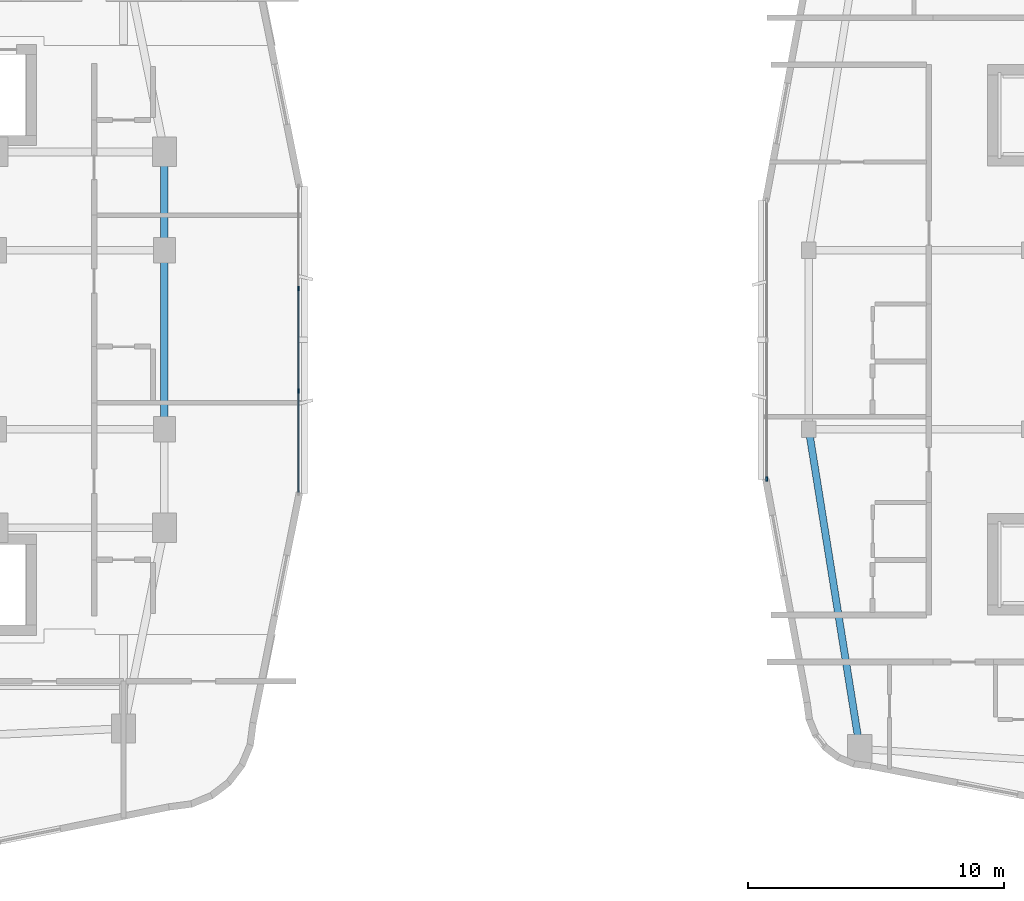
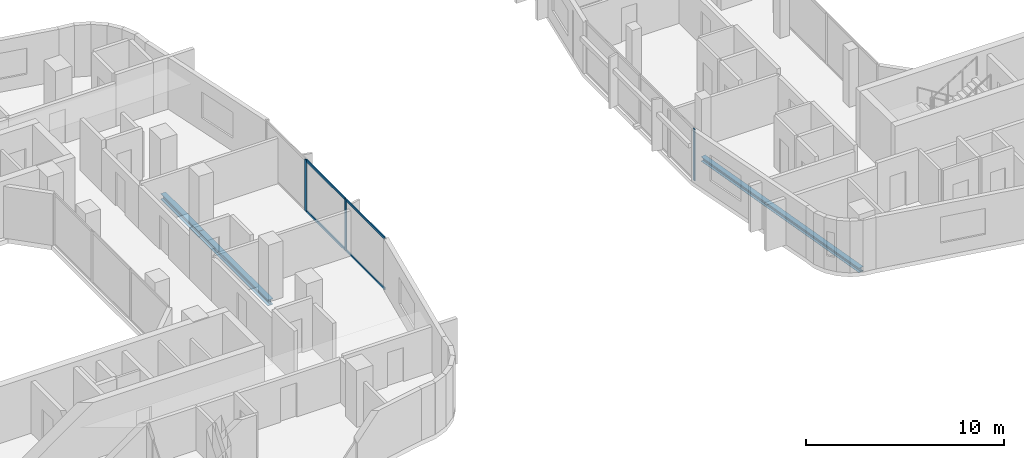
# One storey, part 5 of 26: 7 members, 3 beams, 2 elements without a shape of their own.
"""IFC4 building model written with IfcOpenShell, lengths in metres."""

from ifc_helpers import new_model, si_unit, derived_unit, direction, frame, origin, origin_2d, place, context, subcontext, project, spatial, rectangle, i_section, extrude, material, layer, layer_set, material_profile, profile_set, type_object, element, aggregate, save


model = new_model("IFC4")

# Units and contexts
model_context = context("Model", 3, precision=1e-05, world=origin(), true_north=direction((0.0, 1.0)))
body_context = subcontext(model_context, "Body", "Model", "MODEL_VIEW")
ifc_project = project(units=[si_unit("LENGTHUNIT", "METRE"), si_unit("AREAUNIT", "SQUARE_METRE"), si_unit("VOLUMEUNIT", "CUBIC_METRE"), si_unit("PLANEANGLEUNIT", "RADIAN"), si_unit("MASSUNIT", "GRAM", prefix="KILO"), derived_unit("THERMALTRANSMITTANCEUNIT", [(si_unit("POWERUNIT", "WATT"), 1), (si_unit("LENGTHUNIT", "METRE"), -2), (si_unit("THERMODYNAMICTEMPERATUREUNIT", "KELVIN"), -1)])], contexts=[model_context])

# Site, building, storey
site_placement = place(None, origin())
site = spatial("IfcSite", under=ifc_project, at=site_placement, CompositionType="ELEMENT")
building_placement = place(site_placement, origin())
building = spatial("IfcBuilding", under=site, at=building_placement, Name="Kivonza Crest Hotel", CompositionType="ELEMENT")
storey_placement = place(building_placement, frame((0.0, 0.0, 116.0)))
storey = spatial("IfcBuildingStorey", under=building, at=storey_placement, Name="L31", CompositionType="ELEMENT", Elevation=116.0)

# Beams
ifc_material_1 = material(Name="Steel S355", Category="steel")
ifc_material_profile_1 = material_profile(ifc_material_1, i_section(OverallWidth=0.280029296875, OverallDepth=0.280029296875, WebThickness=0.010498046875, FlangeThickness=0.01806640625, FilletRadius=0.02392578125, at=origin_2d()), Name="HEB 280")
ifc_profile_set_1 = profile_set([ifc_material_profile_1], Name="Steel S355")
beam_type_1 = type_object("IfcBeamType", Name="BM-HEB280", PredefinedType="SPANDREL", material=ifc_profile_set_1)
beam_1_placement = place(storey_placement, frame((61.0, 21.5, -0.389892578125), z_axis=(0.157990501107, -0.987440631917, 0.0), x_axis=(0.987440631917, 0.157990501107, 0.0)))
element("IfcBeam", 1, at=beam_1_placement, inside=storey, type_object=beam_type_1, Name="Companion Tower T2 L31 perimeter spandrel W1-SW", PredefinedType="SPANDREL", context=body_context, shape_type="SweptSolid", body=[
    extrude(i_section(OverallWidth=0.280029296875, OverallDepth=0.280029296875, WebThickness=0.010498046875, FlangeThickness=0.01806640625, FilletRadius=0.02392578125, at=origin_2d()), origin(), (0.0, 0.0, 1.0), 12.658935546875),
])
ifc_material_profile_2 = material_profile(ifc_material_1, i_section(OverallWidth=0.300048828125, OverallDepth=0.360107421875, WebThickness=0.012451171875, FlangeThickness=0.0224609375, FilletRadius=0.027099609375, at=origin_2d()), Name="HEB 360")
ifc_profile_set_2 = profile_set([ifc_material_profile_2], Name="Steel S355")
beam_type_2 = type_object("IfcBeamType", Name="BM-HEB360", PredefinedType="SPANDREL", material=ifc_profile_set_2)
beam_2_placement = place(storey_placement, frame((35.800048828125, 21.5, -0.4599609375), z_axis=(0.0, 1.0, 0.0), x_axis=(-1.0, 0.0, 0.0)))
element("IfcBeam", 2, at=beam_2_placement, inside=storey, type_object=beam_type_2, Name="Tower T1 L31 perimeter spandrel E1-E2", PredefinedType="SPANDREL", context=body_context, shape_type="SweptSolid", body=[
    extrude(i_section(OverallWidth=0.300048828125, OverallDepth=0.360107421875, WebThickness=0.012451171875, FlangeThickness=0.0224609375, FilletRadius=0.027099609375, at=origin_2d()), origin(), (0.0, 0.0, 1.0), 7.0),
])
beam_3_placement = place(storey_placement, frame((35.800048828125, 28.5, -0.4599609375), z_axis=(0.0, 1.0, 0.0), x_axis=(-1.0, 0.0, 0.0)))
element("IfcBeam", 3, at=beam_3_placement, inside=storey, type_object=beam_type_2, Name="Tower T1 L31 perimeter spandrel E2-PNE", PredefinedType="SPANDREL", context=body_context, shape_type="SweptSolid", body=[
    extrude(i_section(OverallWidth=0.300048828125, OverallDepth=0.360107421875, WebThickness=0.012451171875, FlangeThickness=0.0224609375, FilletRadius=0.027099609375, at=origin_2d()), origin(), (0.0, 0.0, 1.0), 3.85009765625),
])

# Curtain wall, members
ifc_material_2 = material(Name="Anodised bronze aluminium and low-E double glazing", Category="aluminium")
ifc_layer_1 = layer(ifc_material_2, 0.179931640625)
ifc_layer_set_1 = layer_set([ifc_layer_1], Name="Anodised bronze aluminium and low-E double glazing")
curtain_wall_type_1 = type_object("IfcCurtainWallType", Name="CW-SYS-2", PredefinedType="NOTDEFINED", material=ifc_layer_set_1)
curtain_wall_1_placement = place(storey_placement, origin())
curtain_wall_1 = element("IfcCurtainWall", 4, at=curtain_wall_1_placement, inside=storey, type_object=curtain_wall_type_1, Name="L31 unitised curtain wall CW-T1-L31-17", PredefinedType="NOTDEFINED")
ifc_material_3 = material(Name="Anodised bronze aluminium", Category="aluminium")
ifc_material_profile_3 = material_profile(ifc_material_3, rectangle(XDim=0.06494140625, YDim=0.179931640625, at=origin_2d()), Name="CW-M 65x180")
ifc_profile_set_3 = profile_set([ifc_material_profile_3], Name="Anodised bronze aluminium")
member_type_1 = type_object("IfcMemberType", Name="CW-MUL-65x180", PredefinedType="MULLION", material=ifc_profile_set_3)
member_1_placement = place(storey_placement, frame((41.0400390625, 22.993408203125, 0.0), z_axis=(0.0, 0.0, 1.0), x_axis=(-1.0, 0.0, 0.0)))
member_1 = element("IfcMember", 5, at=member_1_placement, type_object=member_type_1, Name="CW-2 mullion 2", PredefinedType="MULLION", context=body_context, shape_type="SweptSolid", body=[
    extrude(rectangle(XDim=0.06494140625, YDim=0.179931640625, at=origin_2d()), origin(), (0.0, 0.0, 1.0), 3.179931640625),
])
member_2_placement = place(storey_placement, frame((41.0400390625, 27.006591796875, 0.0), z_axis=(0.0, 0.0, 1.0), x_axis=(-1.0, 0.0, 0.0)))
member_2 = element("IfcMember", 6, at=member_2_placement, type_object=member_type_1, Name="CW-2 mullion 3", PredefinedType="MULLION", context=body_context, shape_type="SweptSolid", body=[
    extrude(rectangle(XDim=0.06494140625, YDim=0.179931640625, at=origin_2d()), origin(), (0.0, 0.0, 1.0), 3.179931640625),
])

# Curtain wall, member
ifc_layer_2 = layer(ifc_material_2, 0.179931640625)
ifc_layer_set_2 = layer_set([ifc_layer_2], Name="Anodised bronze aluminium and low-E double glazing")
curtain_wall_type_2 = type_object("IfcCurtainWallType", Name="CW-SYS-4", PredefinedType="NOTDEFINED", material=ifc_layer_set_2)
curtain_wall_2_placement = place(storey_placement, origin())
curtain_wall_2 = element("IfcCurtainWall", 7, at=curtain_wall_2_placement, inside=storey, type_object=curtain_wall_type_2, Name="L31 unitised curtain wall CW-T2-L31-35", PredefinedType="NOTDEFINED")
member_3_placement = place(storey_placement, frame((59.360107421875, 19.552490234375, 0.0), z_axis=(0.0, 0.0, 1.0), x_axis=(1.0, 0.0, 0.0)))
member_3 = element("IfcMember", 8, at=member_3_placement, type_object=member_type_1, Name="CW-4 mullion 3", PredefinedType="MULLION", context=body_context, shape_type="SweptSolid", body=[
    extrude(rectangle(XDim=0.06494140625, YDim=0.179931640625, at=origin_2d()), origin(), (0.0, 0.0, 1.0), 3.179931640625),
])
aggregate(curtain_wall_2, [member_3])

# Member
ifc_material_profile_4 = material_profile(ifc_material_3, rectangle(XDim=0.06494140625, YDim=0.139892578125, at=origin_2d()), Name="CW-T 65x140")
ifc_profile_set_4 = profile_set([ifc_material_profile_4], Name="Anodised bronze aluminium")
member_type_2 = type_object("IfcMemberType", Name="CW-TRN-65x140", PredefinedType="USERDEFINED", material=ifc_profile_set_4)
member_4_placement = place(storey_placement, frame((41.0400390625, 19.044921875, 0.032470703125), z_axis=(0.0, 1.0, 0.0), x_axis=(-1.0, 0.0, 0.0)))
member_4 = element("IfcMember", 9, at=member_4_placement, type_object=member_type_2, Name="CW-2 transom 1.1", ObjectType="TRANSOM", PredefinedType="USERDEFINED", context=body_context, shape_type="SweptSolid", body=[
    extrude(rectangle(XDim=0.06494140625, YDim=0.139892578125, at=origin_2d()), origin(), (0.0, 0.0, 1.0), 3.916015625),
])

member_5_placement = place(storey_placement, frame((41.0400390625, 19.044921875, 3.1474609375), z_axis=(0.0, 1.0, 0.0), x_axis=(-1.0, 0.0, 0.0)))
member_5 = element("IfcMember", 10, at=member_5_placement, type_object=member_type_2, Name="CW-2 transom 1.2", ObjectType="TRANSOM", PredefinedType="USERDEFINED", context=body_context, shape_type="SweptSolid", body=[
    extrude(rectangle(XDim=0.06494140625, YDim=0.139892578125, at=origin_2d()), origin(), (0.0, 0.0, 1.0), 3.916015625),
])

member_6_placement = place(storey_placement, frame((41.0400390625, 23.02587890625, 0.032470703125), z_axis=(0.0, 1.0, 0.0), x_axis=(-1.0, 0.0, 0.0)))
member_6 = element("IfcMember", 11, at=member_6_placement, type_object=member_type_2, Name="CW-2 transom 2.1", ObjectType="TRANSOM", PredefinedType="USERDEFINED", context=body_context, shape_type="SweptSolid", body=[
    extrude(rectangle(XDim=0.06494140625, YDim=0.139892578125, at=origin_2d()), origin(), (0.0, 0.0, 1.0), 3.9482421875),
])

member_7_placement = place(storey_placement, frame((41.0400390625, 23.02587890625, 3.1474609375), z_axis=(0.0, 1.0, 0.0), x_axis=(-1.0, 0.0, 0.0)))
member_7 = element("IfcMember", 12, at=member_7_placement, type_object=member_type_2, Name="CW-2 transom 2.2", ObjectType="TRANSOM", PredefinedType="USERDEFINED", context=body_context, shape_type="SweptSolid", body=[
    extrude(rectangle(XDim=0.06494140625, YDim=0.139892578125, at=origin_2d()), origin(), (0.0, 0.0, 1.0), 3.9482421875),
])

aggregate(curtain_wall_1, [member_1, member_2, member_4, member_5, member_6, member_7])

save(model, "model.ifc")
